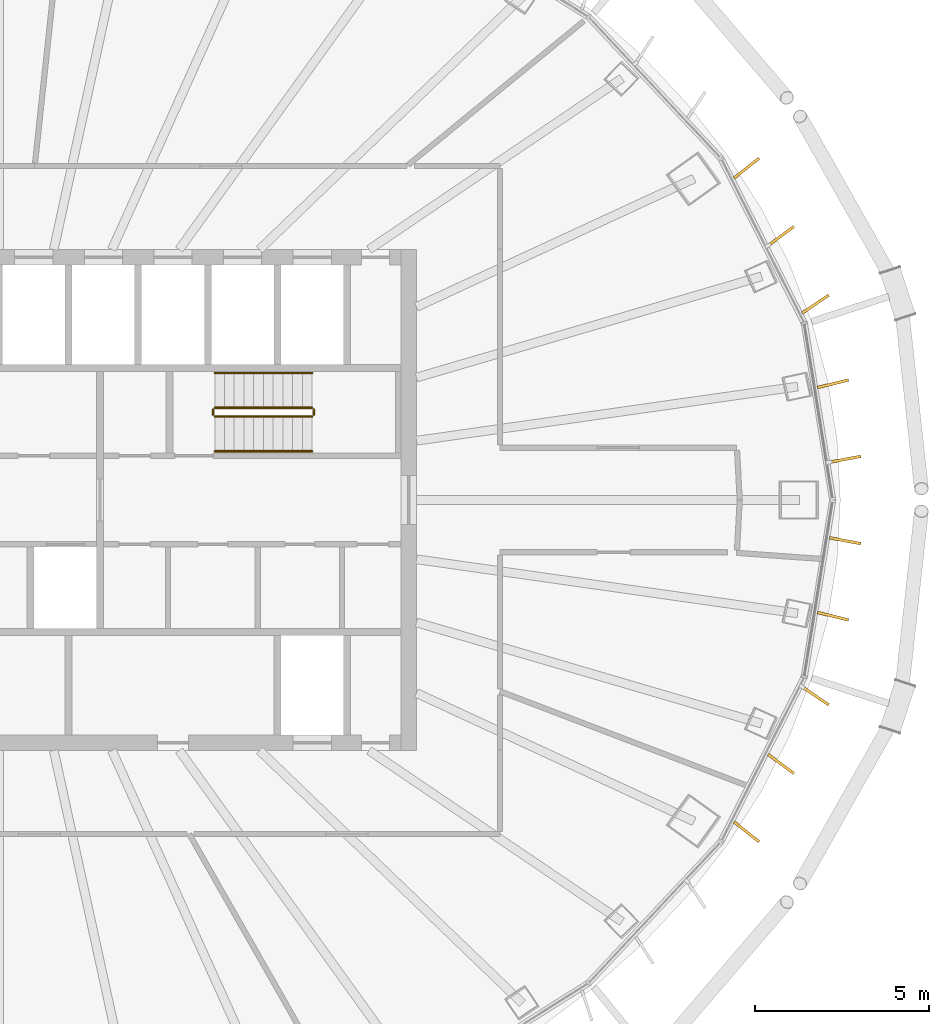
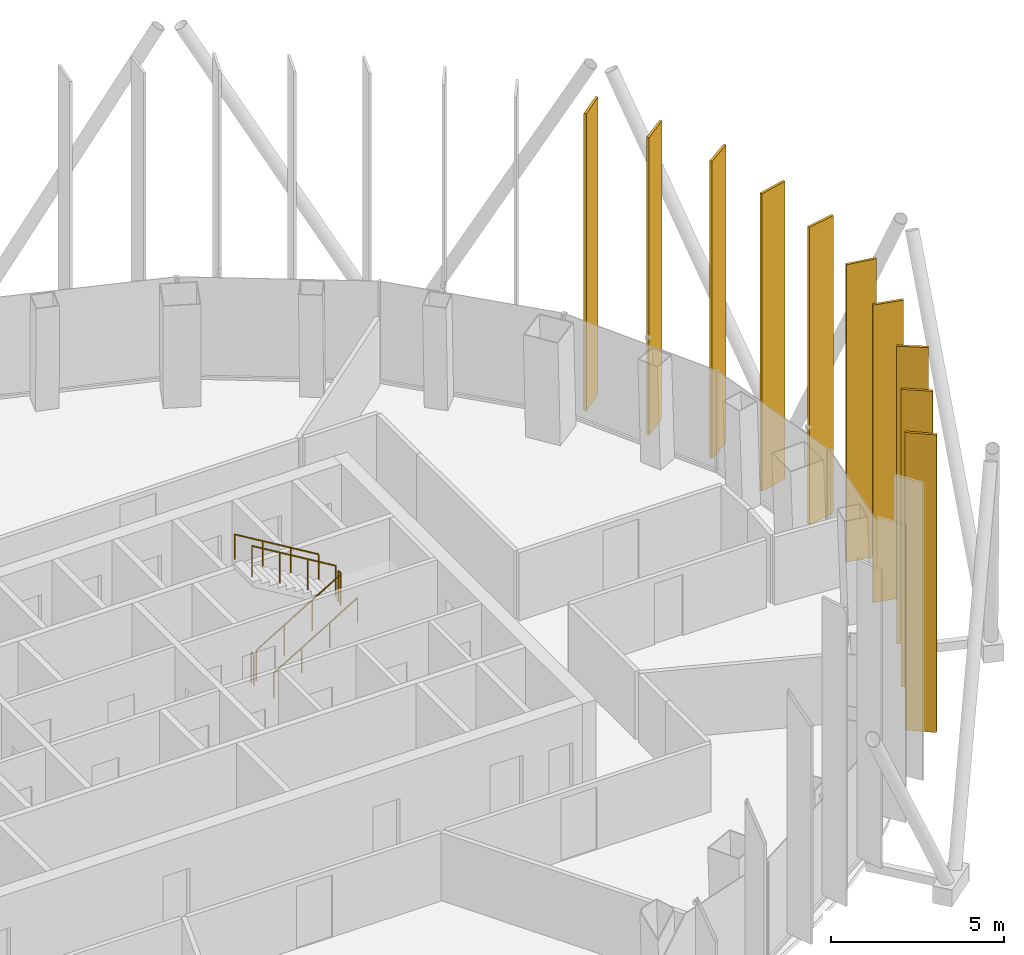
# One storey, part 17 of 18: 10 shading devices, 6 railings.
"""IFC4 building model written with IfcOpenShell, lengths in metres."""

import ifcopenshell
import ifcopenshell.guid

model = None  # the IFC model being written
_history = None  # IfcOwnerHistory: only IFC2X3 demands one
_inside = {}  # id of a spatial element -> (the spatial element, [elements in it])
_under = {}  # id of a project, library or spatial element -> (it, [spatial elements below it])
_declared = {}  # id of a project -> (the project, [libraries it declares])
_typed = {}  # id of a type object -> (the type object, [elements of that type])
_made_of = {}  # id of a material, layer set ... -> (it, [elements and type objects made of it])


def new_model(schema):
    """Start an empty IFC model of exactly this schema.

    Asked for "IFC4X3", IfcOpenShell would pick the latest addendum, in which some entities
    have other attributes; the version numbers below select the first issue.
    IFC2X3 requires an IfcOwnerHistory on every rooted entity: one is made here for all.
    """
    global model, _history
    if schema == "IFC4X3":
        model = ifcopenshell.file(schema_version=(4, 3, 0, 0))
    else:
        model = ifcopenshell.file(schema=schema)
    _inside.clear()
    _under.clear()
    _declared.clear()
    _typed.clear()
    _made_of.clear()
    _history = None
    if model.schema == "IFC2X3":
        org = make("IfcOrganization", Name="unknown")
        user = make(
            "IfcPersonAndOrganization",
            ThePerson=make("IfcPerson", FamilyName="unknown"),
            TheOrganization=org,
        )
        app = make(
            "IfcApplication",
            ApplicationDeveloper=org,
            Version="unknown",
            ApplicationFullName="unknown",
            ApplicationIdentifier="unknown",
        )
        _history = make(
            "IfcOwnerHistory",
            OwningUser=user,
            OwningApplication=app,
            ChangeAction="ADDED",
            CreationDate=0,
        )
    return model


def make(cls, **values):
    """One entity of the class cls with the attributes given. An attribute that is None is left unset."""
    return model.create_entity(
        cls, **{name: value for name, value in values.items() if value is not None}
    )


def rooted(cls, **values):
    """An entity with a GlobalId (a new one), such as an element, a storey or a relation."""
    return make(cls, GlobalId=ifcopenshell.guid.new(), OwnerHistory=_history, **values)


def si_unit(unit_type, name, prefix=None):
    """IfcSIUnit, for example si_unit("LENGTHUNIT", "METRE", prefix="MILLI")."""
    return make("IfcSIUnit", UnitType=unit_type, Prefix=prefix, Name=name)


def assignment(units):
    """IfcUnitAssignment: the units of a project."""
    return None if units is None else make("IfcUnitAssignment", Units=units)


def point(xyz):
    """IfcCartesianPoint."""
    return None if xyz is None else make("IfcCartesianPoint", Coordinates=xyz)


def direction(xyz):
    """IfcDirection."""
    return None if xyz is None else make("IfcDirection", DirectionRatios=xyz)


def frame(location, z_axis=None, x_axis=None):
    """IfcAxis2Placement3D, a coordinate frame: its origin and axes. An axis left out is left unset."""
    return make(
        "IfcAxis2Placement3D",
        Location=point(location),
        Axis=direction(z_axis),
        RefDirection=direction(x_axis),
    )


def frame_2d(location, x_axis=None):
    """IfcAxis2Placement2D, a coordinate frame in the plane: its origin and x axis."""
    return make(
        "IfcAxis2Placement2D", Location=point(location), RefDirection=direction(x_axis)
    )


def origin():
    """The frame at (0, 0, 0) with its axes left unset."""
    return frame((0.0, 0.0, 0.0))


def origin_2d():
    """The frame at (0, 0) in the plane with its x axis left unset."""
    return frame_2d((0.0, 0.0))


def place(relative_to, where):
    """IfcLocalPlacement: puts the frame where relative to a parent placement (None: the world)."""
    return make(
        "IfcLocalPlacement", PlacementRelTo=relative_to, RelativePlacement=where
    )


def context(
    kind, dimensions, precision=None, world=None, true_north=None, identifier=None
):
    """IfcGeometricRepresentationContext, for example the 3D "Model" context."""
    return make(
        "IfcGeometricRepresentationContext",
        ContextIdentifier=identifier,
        ContextType=kind,
        CoordinateSpaceDimension=dimensions,
        Precision=precision,
        WorldCoordinateSystem=world,
        TrueNorth=true_north,
    )


def subcontext(parent, identifier, kind, view, scale=None):
    """IfcGeometricRepresentationSubContext, for example "Body" below "Model"."""
    return make(
        "IfcGeometricRepresentationSubContext",
        ContextIdentifier=identifier,
        ContextType=kind,
        ParentContext=parent,
        TargetScale=scale,
        TargetView=view,
    )


def project(units=None, contexts=None):
    """IfcProject with its units and contexts."""
    return rooted(
        "IfcProject",
        Name="project",
        RepresentationContexts=contexts,
        UnitsInContext=assignment(units),
    )


def spatial(cls, under=None, at=None, **own):
    """A site, building, storey or space (cls), placed at a placement, below another one or the project."""
    s = rooted(cls, ObjectPlacement=at, **own)
    if under is not None:
        _under.setdefault(under.id(), (under, []))[1].append(s)
    return s


def profile(cls, at=None, kind="AREA", **sizes):
    """A parametric profile (cls). Its sizes go by their IFC names, for example OverallWidth=200.0."""
    return make(cls, ProfileType=kind, Position=at, **sizes)


def rectangle(**sizes):
    """IfcRectangleProfileDef."""
    return profile("IfcRectangleProfileDef", **sizes)


def circle(**sizes):
    """IfcCircleProfileDef."""
    return profile("IfcCircleProfileDef", **sizes)


def extrude(swept, where, along, depth):
    """IfcExtrudedAreaSolid: the profile swept, set in the frame where, extruded along a direction by depth."""
    return make(
        "IfcExtrudedAreaSolid",
        SweptArea=swept,
        Position=where,
        ExtrudedDirection=direction(along),
        Depth=depth,
    )


def shape(context_of_items, identifier, shape_type, items):
    """IfcShapeRepresentation: the items that make up one representation, for example the "Body"."""
    return make(
        "IfcShapeRepresentation",
        ContextOfItems=context_of_items,
        RepresentationIdentifier=identifier,
        RepresentationType=shape_type,
        Items=items,
    )


def material(Name=None, Category=None):
    """IfcMaterial."""
    return make("IfcMaterial", Name=Name, Category=Category)


def layer(
    of_material, thickness, ventilated=None, Name=None, Category=None, Priority=None
):
    """IfcMaterialLayer: one layer of a wall or slab, of a material (None: an air gap)."""
    return make(
        "IfcMaterialLayer",
        Material=of_material,
        LayerThickness=thickness,
        IsVentilated=ventilated,
        Name=Name,
        Category=Category,
        Priority=Priority,
    )


def layer_set(layers, Name=None):
    """IfcMaterialLayerSet."""
    return make("IfcMaterialLayerSet", MaterialLayers=layers, LayerSetName=Name)


def made_of(thing, what):
    """Note that an element or type object is made of a material, layer set ...; save() writes the relation."""
    if what is not None:
        _made_of.setdefault(what.id(), (what, []))[1].append(thing)
    return thing


def type_object(cls, material=None, **own):
    """A type object (cls), such as IfcWallType, which elements share."""
    return made_of(rooted(cls, **own), material)


def element(
    cls,
    number,
    at=None,
    inside=None,
    cuts=None,
    type_object=None,
    material=None,
    context=None,
    identifier="Body",
    shape_type=None,
    held_by="IfcProductDefinitionShape",
    body=None,
    shapes=None,
    **own,
):
    """One element of the class cls, such as IfcWall. Its Tag is "e" and its number.

    at: its placement. inside: the storey or other place that contains it. cuts: it is an
    opening in that element (IfcRelVoidsElement). A single representation is given by context,
    identifier, shape_type and body (its items); several are given by shapes. held_by: the class
    of the entity that holds the representations. save() writes the other relations.
    """
    e = rooted(cls, Tag="e%d" % number, ObjectPlacement=at, **own)
    if body is not None:
        shapes = [shape(context, identifier, shape_type, body)]
    if shapes is not None:
        e.Representation = make(held_by, Representations=shapes)
    if inside is not None:
        _inside.setdefault(inside.id(), (inside, []))[1].append(e)
    if cuts is not None:
        rooted(
            "IfcRelVoidsElement", RelatingBuildingElement=cuts, RelatedOpeningElement=e
        )
    if type_object is not None:
        _typed.setdefault(type_object.id(), (type_object, []))[1].append(e)
    return made_of(e, material)


def aggregate(whole, parts):
    """IfcRelAggregates: a whole, such as a stair, and the parts it consists of."""
    return rooted("IfcRelAggregates", RelatingObject=whole, RelatedObjects=parts)


def save(model, path):
    """Write the relations noted so far, then the file.

    IfcRelAggregates (storeys below a building ...), IfcRelContainedInSpatialStructure (elements
    in a storey), IfcRelDefinesByType, IfcRelAssociatesMaterial and IfcRelDeclares: one each for
    every whole, place, type object, material and project.
    """
    for whole, parts in _under.values():
        aggregate(whole, parts)
    for where, things in _inside.values():
        rooted(
            "IfcRelContainedInSpatialStructure",
            RelatedElements=things,
            RelatingStructure=where,
        )
    for kind, things in _typed.values():
        rooted("IfcRelDefinesByType", RelatedObjects=things, RelatingType=kind)
    for what, things in _made_of.values():
        rooted("IfcRelAssociatesMaterial", RelatedObjects=things, RelatingMaterial=what)
    for by, libraries in _declared.values():
        rooted("IfcRelDeclares", RelatingContext=by, RelatedDefinitions=libraries)
    model.write(path)


model = new_model("IFC4")

# Units and contexts
model_context = context("Model", 3, precision=1e-05, world=origin(), true_north=direction((0.0, 1.0)))
body_context = subcontext(model_context, "Body", "Model", "MODEL_VIEW")
ifc_project = project(units=[si_unit("LENGTHUNIT", "METRE"), si_unit("AREAUNIT", "SQUARE_METRE"), si_unit("VOLUMEUNIT", "CUBIC_METRE"), si_unit("PLANEANGLEUNIT", "RADIAN"), si_unit("MASSUNIT", "GRAM", prefix="KILO")], contexts=[model_context])

# Site, building, storey
site_placement = place(None, origin())
site = spatial("IfcSite", under=ifc_project, at=site_placement, CompositionType="ELEMENT")
building_placement = place(site_placement, origin())
building = spatial("IfcBuilding", under=site, at=building_placement, Name="Siaravel Broadcast Tower", CompositionType="ELEMENT")
storey_placement = place(building_placement, frame((0.0, 0.0, 157.10009765625)))
storey = spatial("IfcBuildingStorey", under=building, at=storey_placement, Name="L37", CompositionType="ELEMENT", Elevation=157.10009765625)

# Shading devices
ifc_material_1 = material(Name="Bronze anodised aluminium", Category="aluminium")
ifc_layer = layer(ifc_material_1, 0.080078125)
ifc_layer_set = layer_set([ifc_layer], Name="Bronze anodised aluminium")
shading_device_type = type_object("IfcShadingDeviceType", Name="Bronze fin zone 3", PredefinedType="USERDEFINED", material=ifc_layer_set)
for number, where, z_axis, x_axis, name in (
    (1, (24.3193359375, 1.17041015625, 0.2998046875), (0.0, 0.0, 1.0), (0.982717955, 0.185109216, 0.0), "Bronze fin L37-01"),
    (2, (23.969482421875, 3.340087890625, 0.2998046875), (0.0, 0.0, 1.0), (0.971568958, 0.236756753, 0.0), "Bronze fin L37-02"),
    (3, (23.468017578125, 5.631103515625, 0.2998046875), (0.0, 0.0, 1.0), (0.827441419, 0.561552044, 0.0), "Bronze fin L37-03"),
    (4, (22.476318359375, 7.586181640625, 0.2998046875), (0.0, 0.0, 1.0), (0.803498549, 0.595306712, 0.0), "Bronze fin L37-04"),
    (5, (21.486083984375, 9.537841796875, 0.2998046875), (0.0, 0.0, 1.0), (0.783005654, 0.622014587, 0.0), "Bronze fin L37-05"),
    (6, (21.486083984375, -9.537841796875, 0.2998046875), (0.0, 0.0, 1.0), (0.783005654, -0.622014587, 0.0), "Bronze fin L37-59"),
    (7, (22.476318359375, -7.586181640625, 0.2998046875), (0.0, 0.0, 1.0), (0.803498549, -0.595306712, 0.0), "Bronze fin L37-60"),
    (8, (23.468017578125, -5.631103515625, 0.2998046875), (0.0, 0.0, 1.0), (0.827441419, -0.561552044, 0.0), "Bronze fin L37-61"),
    (9, (23.969482421875, -3.340087890625, 0.2998046875), (0.0, 0.0, 1.0), (0.971568958, -0.236756753, 0.0), "Bronze fin L37-62"),
    (10, (24.3193359375, -1.17041015625, 0.2998046875), (0.0, 0.0, 1.0), (0.982717955, -0.185109216, 0.0), "Bronze fin L37-63"),
):
    element("IfcShadingDevice", number, at=place(storey_placement, frame(where, z_axis=z_axis, x_axis=x_axis)), inside=storey, type_object=shading_device_type, Name=name, ObjectType="FIN", PredefinedType="USERDEFINED", context=body_context, shape_type="SweptSolid", body=[
        extrude(rectangle(XDim=0.919921875, YDim=0.080078125, at=origin_2d()), origin(), (0.0, 0.0, 1.0), 10.5),
    ])

# Railings
ifc_material_2 = material(Name="Stainless steel 316L", Category="steel")
railing_type_1 = type_object("IfcRailingType", Name="Stair guard 1100", PredefinedType="GUARDRAIL", material=ifc_material_2)
railing_1_placement = place(storey_placement, frame((6.199951171875, 2.39990234375, 0.16796875)))
element("IfcRailing", 11, at=railing_1_placement, inside=storey, type_object=railing_type_1, Name="L37 ST-2 stair guard 1", PredefinedType="GUARDRAIL", context=body_context, shape_type="SweptSolid", body=[
    extrude(circle(Radius=0.02392578125, at=origin_2d()), frame((0.0, 0.0, 1.076171875), z_axis=(0.857242211, 0.0, 0.514913383), x_axis=(0.0, 1.0, 0.0)), (0.0, 0.0, 1.0), 3.266357421875),
    extrude(circle(Radius=0.02099609375, at=origin_2d()), origin(), (0.0, 0.0, 1.0), 1.052001953125),
    extrude(circle(Radius=0.02099609375, at=origin_2d()), frame((0.933349609375, 0.0, 0.560546875)), (0.0, 0.0, 1.0), 1.052001953125),
    extrude(circle(Radius=0.02099609375, at=origin_2d()), frame((1.86669921875, 0.0, 1.121337890625)), (0.0, 0.0, 1.0), 1.052001953125),
    extrude(circle(Radius=0.02099609375, at=origin_2d()), frame((2.800048828125, 0.0, 1.681884765625)), (0.0, 0.0, 1.0), 1.052001953125),
])
railing_2_placement = place(storey_placement, frame((9.050048828125, 2.449951171875, 1.849853515625)))
element("IfcRailing", 12, at=railing_2_placement, inside=storey, type_object=railing_type_1, Name="L37 ST-2 stair guard 2", PredefinedType="GUARDRAIL", context=body_context, shape_type="SweptSolid", body=[
    extrude(circle(Radius=0.02392578125, at=origin_2d()), frame((0.0, 0.0, 1.076171875), z_axis=(0.0, 1.0, 0.0), x_axis=(-1.0, 0.0, 0.0)), (0.0, 0.0, 1.0), 0.150146484375),
    extrude(circle(Radius=0.02099609375, at=origin_2d()), origin(), (0.0, 0.0, 1.0), 1.052001953125),
    extrude(circle(Radius=0.02099609375, at=origin_2d()), frame((0.0, 0.150146484375, 0.0)), (0.0, 0.0, 1.0), 1.052001953125),
])
railing_3_placement = place(storey_placement, frame((9.0, 2.64990234375, 2.01806640625)))
element("IfcRailing", 13, at=railing_3_placement, inside=storey, type_object=railing_type_1, Name="L37 ST-2 stair guard 3", PredefinedType="GUARDRAIL", context=body_context, shape_type="SweptSolid", body=[
    extrude(circle(Radius=0.02392578125, at=origin_2d()), frame((0.0, 0.0, 1.076171875), z_axis=(-0.857242211, 0.0, 0.514913383), x_axis=(0.0, -1.0, 0.0)), (0.0, 0.0, 1.0), 3.266357421875),
    extrude(circle(Radius=0.02099609375, at=origin_2d()), origin(), (0.0, 0.0, 1.0), 1.052001953125),
    extrude(circle(Radius=0.02099609375, at=origin_2d()), frame((-0.933349609375, 0.0, 0.560546875)), (0.0, 0.0, 1.0), 1.052001953125),
    extrude(circle(Radius=0.02099609375, at=origin_2d()), frame((-1.86669921875, 0.0, 1.121337890625)), (0.0, 0.0, 1.0), 1.052001953125),
    extrude(circle(Radius=0.02099609375, at=origin_2d()), frame((-2.800048828125, 0.0, 1.681884765625)), (0.0, 0.0, 1.0), 1.052001953125),
])
railing_4_placement = place(storey_placement, frame((6.14990234375, 2.449951171875, 0.0)))
element("IfcRailing", 14, at=railing_4_placement, inside=storey, type_object=railing_type_1, Name="L37 ST-2 stair guard 4", PredefinedType="GUARDRAIL", context=body_context, shape_type="SweptSolid", body=[
    extrude(circle(Radius=0.02392578125, at=origin_2d()), frame((0.0, 0.0, 1.076171875), z_axis=(0.0, 1.0, 0.0), x_axis=(-1.0, 0.0, 0.0)), (0.0, 0.0, 1.0), 0.150146484375),
    extrude(circle(Radius=0.02099609375, at=origin_2d()), origin(), (0.0, 0.0, 1.0), 1.052001953125),
    extrude(circle(Radius=0.02099609375, at=origin_2d()), frame((0.0, 0.150146484375, 0.0)), (0.0, 0.0, 1.0), 1.052001953125),
])
railing_type_2 = type_object("IfcRailingType", Name="Stair handrail 900", PredefinedType="HANDRAIL", material=ifc_material_2)
railing_5_placement = place(storey_placement, frame((6.199951171875, 1.39990234375, 0.16796875)))
element("IfcRailing", 15, at=railing_5_placement, inside=storey, type_object=railing_type_2, Name="L37 ST-2 stair handrail 1", PredefinedType="HANDRAIL", context=body_context, shape_type="SweptSolid", body=[
    extrude(circle(Radius=0.02392578125, at=origin_2d()), frame((0.0, 0.0, 0.8759765625), z_axis=(0.857242211, 0.0, 0.514913383), x_axis=(0.0, 1.0, 0.0)), (0.0, 0.0, 1.0), 3.266357421875),
    extrude(circle(Radius=0.02099609375, at=origin_2d()), origin(), (0.0, 0.0, 1.0), 0.851806640625),
    extrude(circle(Radius=0.02099609375, at=origin_2d()), frame((0.933349609375, 0.0, 0.560546875)), (0.0, 0.0, 1.0), 0.851806640625),
    extrude(circle(Radius=0.02099609375, at=origin_2d()), frame((1.86669921875, 0.0, 1.121337890625)), (0.0, 0.0, 1.0), 0.851806640625),
    extrude(circle(Radius=0.02099609375, at=origin_2d()), frame((2.800048828125, 0.0, 1.681884765625)), (0.0, 0.0, 1.0), 0.851806640625),
])
railing_6_placement = place(storey_placement, frame((9.0, 3.64990234375, 2.01806640625)))
element("IfcRailing", 16, at=railing_6_placement, inside=storey, type_object=railing_type_2, Name="L37 ST-2 stair handrail 2", PredefinedType="HANDRAIL", context=body_context, shape_type="SweptSolid", body=[
    extrude(circle(Radius=0.02392578125, at=origin_2d()), frame((0.0, 0.0, 0.8759765625), z_axis=(-0.857242211, 0.0, 0.514913383), x_axis=(0.0, -1.0, 0.0)), (0.0, 0.0, 1.0), 3.266357421875),
    extrude(circle(Radius=0.02099609375, at=origin_2d()), origin(), (0.0, 0.0, 1.0), 0.851806640625),
    extrude(circle(Radius=0.02099609375, at=origin_2d()), frame((-0.933349609375, 0.0, 0.560546875)), (0.0, 0.0, 1.0), 0.851806640625),
    extrude(circle(Radius=0.02099609375, at=origin_2d()), frame((-1.86669921875, 0.0, 1.121337890625)), (0.0, 0.0, 1.0), 0.851806640625),
    extrude(circle(Radius=0.02099609375, at=origin_2d()), frame((-2.800048828125, 0.0, 1.681884765625)), (0.0, 0.0, 1.0), 0.851806640625),
])

save(model, "model.ifc")
